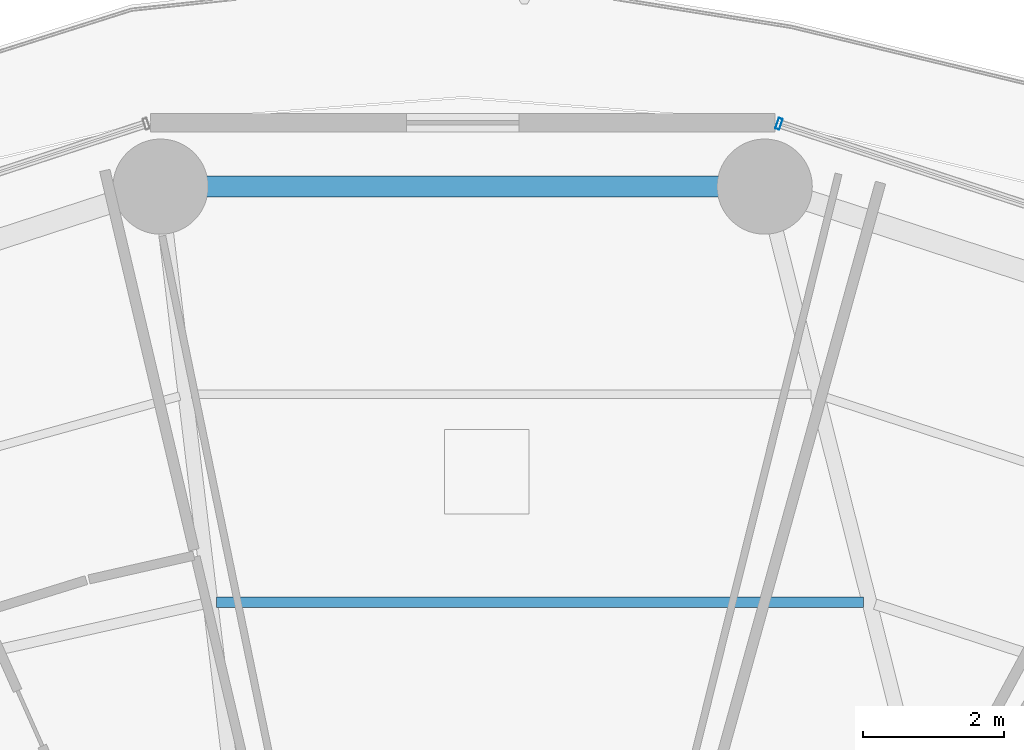
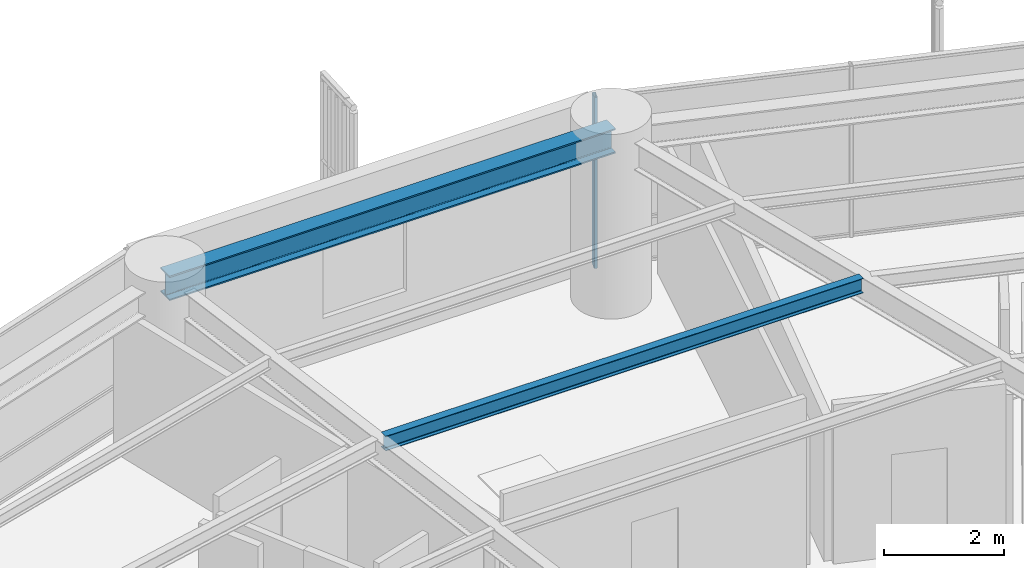
# One storey, part 23 of 36: 2 beams, 1 member, 1 element without a shape of its own.
"""IFC4 building model written with IfcOpenShell, lengths in metres."""

from ifc_helpers import new_model, si_unit, direction, frame, origin, origin_2d, place, context, subcontext, project, spatial, hollow_rectangle, i_section, extrude, material, layer, layer_set, material_profile, profile_set, type_object, element, aggregate, save


model = new_model("IFC4")

# Units and contexts
model_context = context("Model", 3, precision=1e-05, world=origin(), true_north=direction((0.0, 1.0)))
body_context = subcontext(model_context, "Body", "Model", "MODEL_VIEW")
ifc_project = project(units=[si_unit("LENGTHUNIT", "METRE"), si_unit("AREAUNIT", "SQUARE_METRE"), si_unit("VOLUMEUNIT", "CUBIC_METRE"), si_unit("PLANEANGLEUNIT", "RADIAN"), si_unit("MASSUNIT", "GRAM", prefix="KILO")], contexts=[model_context])

# Site, building, storey
site_placement = place(None, origin())
site = spatial("IfcSite", under=ifc_project, at=site_placement, CompositionType="ELEMENT")
building_placement = place(site_placement, origin())
building = spatial("IfcBuilding", under=site, at=building_placement, Name="Kelanora Arch Commons", CompositionType="ELEMENT")
storey_placement = place(building_placement, frame((0.0, 0.0, 102.60009765625)))
storey = spatial("IfcBuildingStorey", under=building, at=storey_placement, Name="L26", CompositionType="ELEMENT", Elevation=102.60009765625)

# Beams
ifc_material_1 = material(Name="Steel S355", Category="steel")
ifc_material_profile_1 = material_profile(ifc_material_1, i_section(OverallWidth=0.14990234375, OverallDepth=0.300048828125, WebThickness=0.007080078125, FlangeThickness=0.0107421875, FilletRadius=0.014892578125, at=origin_2d()), Name="IPE300")
ifc_profile_set_1 = profile_set([ifc_material_profile_1], Name="Steel S355")
beam_type_1 = type_object("IfcBeamType", Name="BM-JST-01", PredefinedType="JOIST", material=ifc_profile_set_1)
beam_1_placement = place(storey_placement, frame((79.686279296875, 73.8466796875, 3.33984375), z_axis=(-1.0, 0.0, 0.0), x_axis=(0.0, -1.0, 0.0)))
element("IfcBeam", 1, at=beam_1_placement, inside=storey, type_object=beam_type_1, Name="Secondary Chord Joist BJB-08 L26", PredefinedType="JOIST", context=body_context, shape_type="SweptSolid", body=[
    extrude(i_section(OverallWidth=0.14990234375, OverallDepth=0.300048828125, WebThickness=0.007080078125, FlangeThickness=0.0107421875, FilletRadius=0.014892578125, at=origin_2d()), origin(), (0.0, 0.0, 1.0), 9.1806640625),
])
ifc_material_profile_2 = material_profile(ifc_material_1, i_section(OverallWidth=0.300048828125, OverallDepth=0.5, WebThickness=0.014404296875, FlangeThickness=0.028076171875, FilletRadius=0.027099609375, at=origin_2d()), Name="HEB500")
ifc_profile_set_2 = profile_set([ifc_material_profile_2], Name="Steel S355")
beam_type_2 = type_object("IfcBeamType", Name="BM-SPN-Z2", PredefinedType="SPANDREL", material=ifc_profile_set_2)
beam_2_placement = place(storey_placement, frame((78.28564453125, 79.74462890625, 3.239990234375), z_axis=(-1.0, 0.0, 0.0), x_axis=(0.0, -1.0, 0.0)))
element("IfcBeam", 2, at=beam_2_placement, inside=storey, type_object=beam_type_2, Name="Perimeter Spandrel Beam BS-08 L26", PredefinedType="SPANDREL", context=body_context, shape_type="SweptSolid", body=[
    extrude(i_section(OverallWidth=0.300048828125, OverallDepth=0.5, WebThickness=0.014404296875, FlangeThickness=0.028076171875, FilletRadius=0.027099609375, at=origin_2d()), origin(), (0.0, 0.0, 1.0), 8.5712890625),
])

# Curtain wall, member
ifc_material_2 = material(Name="Terracotta ceramic-fritted low-E glass and aluminium", Category="masonry")
ifc_layer = layer(ifc_material_2, 0.159912109375)
ifc_layer_set = layer_set([ifc_layer], Name="Terracotta ceramic-fritted low-E glass and aluminium")
curtain_wall_type = type_object("IfcCurtainWallType", Name="CW-SYS-01", PredefinedType="NOTDEFINED", material=ifc_layer_set)
curtain_wall_placement = place(storey_placement, origin())
curtain_wall = element("IfcCurtainWall", 3, at=curtain_wall_placement, inside=storey, type_object=curtain_wall_type, Name="Unitised Curtain Wall L26-B03", PredefinedType="NOTDEFINED")
ifc_material_3 = material(Name="Powder-coated aluminium terracotta", Category="masonry")
ifc_material_profile_3 = material_profile(ifc_material_3, hollow_rectangle(XDim=0.159912109375, YDim=0.06005859375, WallThickness=0.0048828125, InnerFilletRadius=0.0048828125, OuterFilletRadius=0.010009765625, at=origin_2d()), Name="CWM160x60")
ifc_profile_set_3 = profile_set([ifc_material_profile_3], Name="Powder-coated aluminium terracotta")
member_type = type_object("IfcMemberType", Name="CWM-STD", PredefinedType="MULLION", material=ifc_profile_set_3)
member_placement = place(storey_placement, frame((78.48828125, 80.636474609375, 0.0), z_axis=(0.0, 0.0, 1.0), x_axis=(-0.31080470294, -0.950473795867, 0.0)))
member = element("IfcMember", 4, at=member_placement, type_object=member_type, Name="CW-01 mullion 3", PredefinedType="MULLION", context=body_context, shape_type="SweptSolid", body=[
    extrude(hollow_rectangle(XDim=0.159912109375, YDim=0.06005859375, WallThickness=0.0048828125, InnerFilletRadius=0.0048828125, OuterFilletRadius=0.010009765625, at=origin_2d()), origin(), (0.0, 0.0, 1.0), 3.474853515625),
])
aggregate(curtain_wall, [member])

save(model, "model.ifc")
